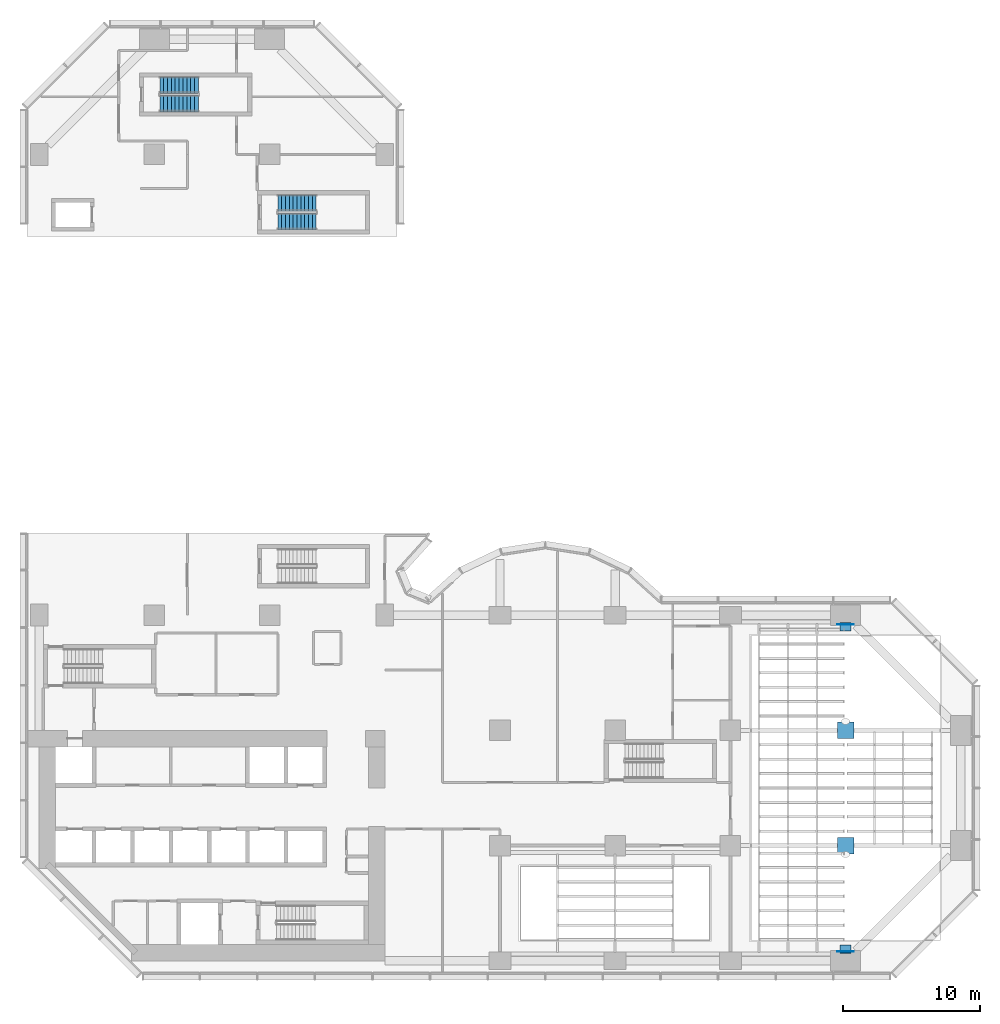
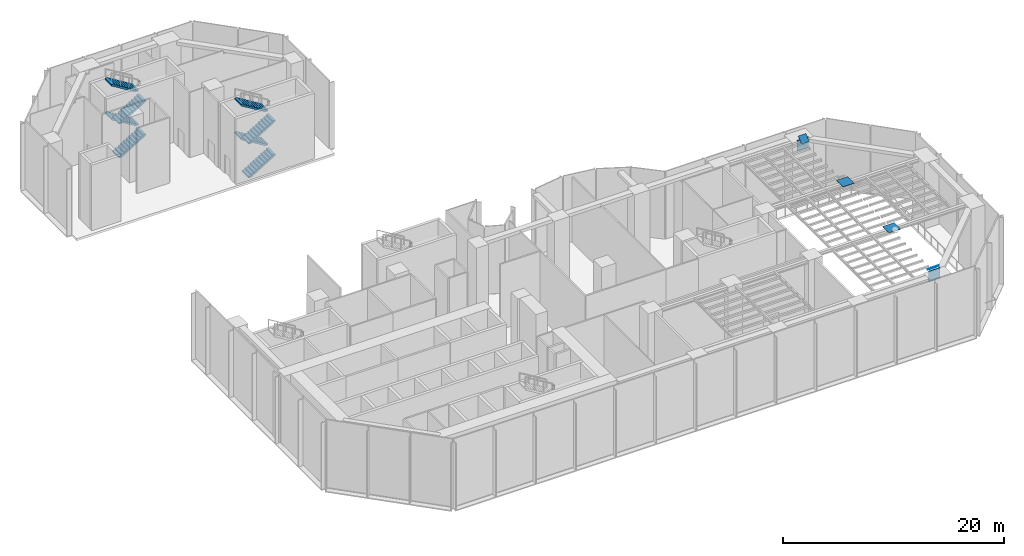
# One storey, part 18 of 22: 8 stair flights, 6 discrete accessories, 2 elements without a shape of their own.
"""IFC4 building model written with IfcOpenShell, lengths in metres."""

from ifc_helpers import new_model, si_unit, direction, frame, origin, origin_2d, place, context, subcontext, project, spatial, polyline, rectangle, outline, extrude, material, layer, layer_set, type_object, element, aggregate, save


model = new_model("IFC4")

# Units and contexts
model_context = context("Model", 3, precision=1e-05, world=origin(), true_north=direction((0.0, 1.0)))
body_context = subcontext(model_context, "Body", "Model", "MODEL_VIEW")
ifc_project = project(units=[si_unit("LENGTHUNIT", "METRE"), si_unit("AREAUNIT", "SQUARE_METRE"), si_unit("VOLUMEUNIT", "CUBIC_METRE"), si_unit("PLANEANGLEUNIT", "RADIAN"), si_unit("MASSUNIT", "GRAM", prefix="KILO")], contexts=[model_context])

# Site, building, storey
site_placement = place(None, origin())
site = spatial("IfcSite", under=ifc_project, at=site_placement, CompositionType="ELEMENT")
building_placement = place(site_placement, origin())
building = spatial("IfcBuilding", under=site, at=building_placement, Name="Brevane Broadcast Tower", CompositionType="ELEMENT")
storey_placement = place(building_placement, frame((0.0, 0.0, 20.0)))
storey = spatial("IfcBuildingStorey", under=building, at=storey_placement, Name="L03", CompositionType="ELEMENT", Elevation=20.0)

# Stair, stair flights
ifc_material_1 = material(Name="Concrete C50/60", Category="concrete")
stair_type = type_object("IfcStairType", Name="Exit stair 44 risers", PredefinedType="HALF_TURN_STAIR", material=ifc_material_1)
stair_1_placement = place(storey_placement, origin())
stair_1 = element("IfcStair", 1, at=stair_1_placement, inside=storey, type_object=stair_type, Name="L03 Exit stair ST-5", PredefinedType="HALF_TURN_STAIR")
stair_flight_type = type_object("IfcStairFlightType", Name="Exit stair flight 44 risers", PredefinedType="STRAIGHT", material=ifc_material_1)
stair_flight_1_placement = place(storey_placement, frame((17.39990234375, 53.89990234375, 0.0), z_axis=(0.0, 0.0, 1.0), x_axis=(1.0, 0.0, 0.0)))
stair_flight_1 = element("IfcStairFlight", 2, at=stair_flight_1_placement, type_object=stair_flight_type, Name="ST-5 flight 1", NumberOfRisers=11, NumberOfTreads=10, PredefinedType="STRAIGHT", RiserHeight=0.170454545, TreadLength=0.28, context=body_context, shape_type="SweptSolid", body=[
    extrude(outline(polyline([(0.0, 0.0), (0.0, 0.17041015625), (0.280029296875, 0.17041015625), (0.280029296875, 0.3408203125), (0.56005859375, 0.3408203125), (0.56005859375, 0.511474609375), (0.840087890625, 0.511474609375), (0.840087890625, 0.681884765625), (1.1201171875, 0.681884765625), (1.1201171875, 0.852294921875), (1.39990234375, 0.852294921875), (1.39990234375, 1.022705078125), (1.679931640625, 1.022705078125), (1.679931640625, 1.193115234375), (1.9599609375, 1.193115234375), (1.9599609375, 1.363525390625), (2.239990234375, 1.363525390625), (2.239990234375, 1.5341796875), (2.52001953125, 1.5341796875), (2.52001953125, 1.70458984375), (2.800048828125, 1.70458984375), (2.800048828125, 1.875), (2.800048828125, 1.529052734375), (0.288330078125, 0.0), (0.0, 0.0)])), frame((0.0, 0.60009765625, 0.0), z_axis=(0.0, -1.0, 0.0), x_axis=(1.0, 0.0, 0.0)), (0.0, 0.0, 1.0), 1.199951171875),
])
stair_flight_2_placement = place(storey_placement, frame((20.199951171875, 55.25, 1.875), z_axis=(0.0, 0.0, 1.0), x_axis=(-1.0, 0.0, 0.0)))
stair_flight_2 = element("IfcStairFlight", 3, at=stair_flight_2_placement, type_object=stair_flight_type, Name="ST-5 flight 2", NumberOfRisers=11, NumberOfTreads=10, PredefinedType="STRAIGHT", RiserHeight=0.170454545, TreadLength=0.28, context=body_context, shape_type="SweptSolid", body=[
    extrude(outline(polyline([(0.0, 0.0), (0.0, 0.17041015625), (0.280029296875, 0.17041015625), (0.280029296875, 0.3408203125), (0.56005859375, 0.3408203125), (0.56005859375, 0.511474609375), (0.840087890625, 0.511474609375), (0.840087890625, 0.681884765625), (1.1201171875, 0.681884765625), (1.1201171875, 0.852294921875), (1.39990234375, 0.852294921875), (1.39990234375, 1.022705078125), (1.679931640625, 1.022705078125), (1.679931640625, 1.193115234375), (1.9599609375, 1.193115234375), (1.9599609375, 1.363525390625), (2.239990234375, 1.363525390625), (2.239990234375, 1.5341796875), (2.52001953125, 1.5341796875), (2.52001953125, 1.70458984375), (2.800048828125, 1.70458984375), (2.800048828125, 1.875), (2.800048828125, 1.529052734375), (0.288330078125, 0.0), (0.0, 0.0)])), frame((0.0, 0.60009765625, 0.0), z_axis=(0.0, -1.0, 0.0), x_axis=(1.0, 0.0, 0.0)), (0.0, 0.0, 1.0), 1.199951171875),
])
stair_flight_3_placement = place(storey_placement, frame((17.39990234375, 53.89990234375, 3.75), z_axis=(0.0, 0.0, 1.0), x_axis=(1.0, 0.0, 0.0)))
stair_flight_3 = element("IfcStairFlight", 4, at=stair_flight_3_placement, type_object=stair_flight_type, Name="ST-5 flight 3", NumberOfRisers=11, NumberOfTreads=10, PredefinedType="STRAIGHT", RiserHeight=0.170454545, TreadLength=0.28, context=body_context, shape_type="SweptSolid", body=[
    extrude(outline(polyline([(0.0, 0.0), (0.0, 0.17041015625), (0.280029296875, 0.17041015625), (0.280029296875, 0.3408203125), (0.56005859375, 0.3408203125), (0.56005859375, 0.511474609375), (0.840087890625, 0.511474609375), (0.840087890625, 0.681884765625), (1.1201171875, 0.681884765625), (1.1201171875, 0.852294921875), (1.39990234375, 0.852294921875), (1.39990234375, 1.022705078125), (1.679931640625, 1.022705078125), (1.679931640625, 1.193115234375), (1.9599609375, 1.193115234375), (1.9599609375, 1.363525390625), (2.239990234375, 1.363525390625), (2.239990234375, 1.5341796875), (2.52001953125, 1.5341796875), (2.52001953125, 1.70458984375), (2.800048828125, 1.70458984375), (2.800048828125, 1.875), (2.800048828125, 1.529052734375), (0.288330078125, 0.0), (0.0, 0.0)])), frame((0.0, 0.60009765625, 0.0), z_axis=(0.0, -1.0, 0.0), x_axis=(1.0, 0.0, 0.0)), (0.0, 0.0, 1.0), 1.199951171875),
])
stair_flight_4_placement = place(storey_placement, frame((20.199951171875, 55.25, 5.625), z_axis=(0.0, 0.0, 1.0), x_axis=(-1.0, 0.0, 0.0)))
stair_flight_4 = element("IfcStairFlight", 5, at=stair_flight_4_placement, type_object=stair_flight_type, Name="ST-5 flight 4", NumberOfRisers=11, NumberOfTreads=10, PredefinedType="STRAIGHT", RiserHeight=0.170454545, TreadLength=0.28, context=body_context, shape_type="SweptSolid", body=[
    extrude(outline(polyline([(0.0, 0.0), (0.0, 0.17041015625), (0.280029296875, 0.17041015625), (0.280029296875, 0.3408203125), (0.56005859375, 0.3408203125), (0.56005859375, 0.511474609375), (0.840087890625, 0.511474609375), (0.840087890625, 0.681884765625), (1.1201171875, 0.681884765625), (1.1201171875, 0.852294921875), (1.39990234375, 0.852294921875), (1.39990234375, 1.022705078125), (1.679931640625, 1.022705078125), (1.679931640625, 1.193115234375), (1.9599609375, 1.193115234375), (1.9599609375, 1.363525390625), (2.239990234375, 1.363525390625), (2.239990234375, 1.5341796875), (2.52001953125, 1.5341796875), (2.52001953125, 1.70458984375), (2.800048828125, 1.70458984375), (2.800048828125, 1.875), (2.800048828125, 1.529052734375), (0.288330078125, 0.0), (0.0, 0.0)])), frame((0.0, 0.60009765625, 0.0), z_axis=(0.0, -1.0, 0.0), x_axis=(1.0, 0.0, 0.0)), (0.0, 0.0, 1.0), 1.199951171875),
])
aggregate(stair_1, [stair_flight_1, stair_flight_2, stair_flight_3, stair_flight_4])

stair_2_placement = place(storey_placement, origin())
stair_2 = element("IfcStair", 6, at=stair_2_placement, inside=storey, type_object=stair_type, Name="L03 Exit stair ST-6", PredefinedType="HALF_TURN_STAIR")
stair_flight_5_placement = place(storey_placement, frame((8.800048828125, 62.5, 0.0), z_axis=(0.0, 0.0, 1.0), x_axis=(1.0, 0.0, 0.0)))
stair_flight_5 = element("IfcStairFlight", 7, at=stair_flight_5_placement, type_object=stair_flight_type, Name="ST-6 flight 1", NumberOfRisers=11, NumberOfTreads=10, PredefinedType="STRAIGHT", RiserHeight=0.170454545, TreadLength=0.28, context=body_context, shape_type="SweptSolid", body=[
    extrude(outline(polyline([(0.0, 0.0), (0.0, 0.17041015625), (0.280029296875, 0.17041015625), (0.280029296875, 0.3408203125), (0.56005859375, 0.3408203125), (0.56005859375, 0.511474609375), (0.840087890625, 0.511474609375), (0.840087890625, 0.681884765625), (1.1201171875, 0.681884765625), (1.1201171875, 0.852294921875), (1.39990234375, 0.852294921875), (1.39990234375, 1.022705078125), (1.679931640625, 1.022705078125), (1.679931640625, 1.193115234375), (1.9599609375, 1.193115234375), (1.9599609375, 1.363525390625), (2.239990234375, 1.363525390625), (2.239990234375, 1.5341796875), (2.52001953125, 1.5341796875), (2.52001953125, 1.70458984375), (2.800048828125, 1.70458984375), (2.800048828125, 1.875), (2.800048828125, 1.529052734375), (0.288330078125, 0.0), (0.0, 0.0)])), frame((0.0, 0.60009765625, 0.0), z_axis=(0.0, -1.0, 0.0), x_axis=(1.0, 0.0, 0.0)), (0.0, 0.0, 1.0), 1.199951171875),
])
stair_flight_6_placement = place(storey_placement, frame((11.60009765625, 63.85009765625, 1.875), z_axis=(0.0, 0.0, 1.0), x_axis=(-1.0, 0.0, 0.0)))
stair_flight_6 = element("IfcStairFlight", 8, at=stair_flight_6_placement, type_object=stair_flight_type, Name="ST-6 flight 2", NumberOfRisers=11, NumberOfTreads=10, PredefinedType="STRAIGHT", RiserHeight=0.170454545, TreadLength=0.28, context=body_context, shape_type="SweptSolid", body=[
    extrude(outline(polyline([(0.0, 0.0), (0.0, 0.17041015625), (0.280029296875, 0.17041015625), (0.280029296875, 0.3408203125), (0.56005859375, 0.3408203125), (0.56005859375, 0.511474609375), (0.840087890625, 0.511474609375), (0.840087890625, 0.681884765625), (1.1201171875, 0.681884765625), (1.1201171875, 0.852294921875), (1.39990234375, 0.852294921875), (1.39990234375, 1.022705078125), (1.679931640625, 1.022705078125), (1.679931640625, 1.193115234375), (1.9599609375, 1.193115234375), (1.9599609375, 1.363525390625), (2.239990234375, 1.363525390625), (2.239990234375, 1.5341796875), (2.52001953125, 1.5341796875), (2.52001953125, 1.70458984375), (2.800048828125, 1.70458984375), (2.800048828125, 1.875), (2.800048828125, 1.529052734375), (0.288330078125, 0.0), (0.0, 0.0)])), frame((0.0, 0.60009765625, 0.0), z_axis=(0.0, -1.0, 0.0), x_axis=(1.0, 0.0, 0.0)), (0.0, 0.0, 1.0), 1.199951171875),
])
stair_flight_7_placement = place(storey_placement, frame((8.800048828125, 62.5, 3.75), z_axis=(0.0, 0.0, 1.0), x_axis=(1.0, 0.0, 0.0)))
stair_flight_7 = element("IfcStairFlight", 9, at=stair_flight_7_placement, type_object=stair_flight_type, Name="ST-6 flight 3", NumberOfRisers=11, NumberOfTreads=10, PredefinedType="STRAIGHT", RiserHeight=0.170454545, TreadLength=0.28, context=body_context, shape_type="SweptSolid", body=[
    extrude(outline(polyline([(0.0, 0.0), (0.0, 0.17041015625), (0.280029296875, 0.17041015625), (0.280029296875, 0.3408203125), (0.56005859375, 0.3408203125), (0.56005859375, 0.511474609375), (0.840087890625, 0.511474609375), (0.840087890625, 0.681884765625), (1.1201171875, 0.681884765625), (1.1201171875, 0.852294921875), (1.39990234375, 0.852294921875), (1.39990234375, 1.022705078125), (1.679931640625, 1.022705078125), (1.679931640625, 1.193115234375), (1.9599609375, 1.193115234375), (1.9599609375, 1.363525390625), (2.239990234375, 1.363525390625), (2.239990234375, 1.5341796875), (2.52001953125, 1.5341796875), (2.52001953125, 1.70458984375), (2.800048828125, 1.70458984375), (2.800048828125, 1.875), (2.800048828125, 1.529052734375), (0.288330078125, 0.0), (0.0, 0.0)])), frame((0.0, 0.60009765625, 0.0), z_axis=(0.0, -1.0, 0.0), x_axis=(1.0, 0.0, 0.0)), (0.0, 0.0, 1.0), 1.199951171875),
])
stair_flight_8_placement = place(storey_placement, frame((11.60009765625, 63.85009765625, 5.625), z_axis=(0.0, 0.0, 1.0), x_axis=(-1.0, 0.0, 0.0)))
stair_flight_8 = element("IfcStairFlight", 10, at=stair_flight_8_placement, type_object=stair_flight_type, Name="ST-6 flight 4", NumberOfRisers=11, NumberOfTreads=10, PredefinedType="STRAIGHT", RiserHeight=0.170454545, TreadLength=0.28, context=body_context, shape_type="SweptSolid", body=[
    extrude(outline(polyline([(0.0, 0.0), (0.0, 0.17041015625), (0.280029296875, 0.17041015625), (0.280029296875, 0.3408203125), (0.56005859375, 0.3408203125), (0.56005859375, 0.511474609375), (0.840087890625, 0.511474609375), (0.840087890625, 0.681884765625), (1.1201171875, 0.681884765625), (1.1201171875, 0.852294921875), (1.39990234375, 0.852294921875), (1.39990234375, 1.022705078125), (1.679931640625, 1.022705078125), (1.679931640625, 1.193115234375), (1.9599609375, 1.193115234375), (1.9599609375, 1.363525390625), (2.239990234375, 1.363525390625), (2.239990234375, 1.5341796875), (2.52001953125, 1.5341796875), (2.52001953125, 1.70458984375), (2.800048828125, 1.70458984375), (2.800048828125, 1.875), (2.800048828125, 1.529052734375), (0.288330078125, 0.0), (0.0, 0.0)])), frame((0.0, 0.60009765625, 0.0), z_axis=(0.0, -1.0, 0.0), x_axis=(1.0, 0.0, 0.0)), (0.0, 0.0, 1.0), 1.199951171875),
])
aggregate(stair_2, [stair_flight_5, stair_flight_6, stair_flight_7, stair_flight_8])

# Discrete accessories
ifc_material_2 = material(Name="Steel S355", Category="steel")
ifc_layer_1 = layer(ifc_material_2, 0.0400390625)
ifc_layer_set_1 = layer_set([ifc_layer_1], Name="Gusset plate 1200x1200x40 S355")
discrete_accessory_type_1 = type_object("IfcDiscreteAccessoryType", Name="Gusset plate 1200x1200x40 S355", PredefinedType="ANCHORPLATE", material=ifc_layer_set_1)
for number, where, z_axis, x_axis, name in (
    (11, (58.800048828125, 0.659912109375, 6.74609375), (0.0, 1.0, 0.0), (-1.0, 0.0, 0.0), "Gusset plate GP4-154"),
    (12, (58.800048828125, 24.5, 6.74609375), (0.0, 1.0, 0.0), (-1.0, 0.0, 0.0), "Gusset plate GP4-155"),
    (13, (58.800048828125, 8.39990234375, 7.2099609375), (0.0, 0.0, 1.0), (1.0, 0.0, 0.0), "Gusset plate GP4-164"),
    (14, (58.800048828125, 16.800048828125, 7.2099609375), (0.0, 0.0, 1.0), (1.0, 0.0, 0.0), "Gusset plate GP4-166"),
):
    element("IfcDiscreteAccessory", number, at=place(storey_placement, frame(where, z_axis=z_axis, x_axis=x_axis)), inside=storey, type_object=discrete_accessory_type_1, Name=name, PredefinedType="ANCHORPLATE", context=body_context, shape_type="SweptSolid", body=[
        extrude(rectangle(XDim=1.199951171875, YDim=1.199951171875, at=origin_2d()), origin(), (0.0, 0.0, 1.0), 0.0400390625),
    ])
ifc_layer_2 = layer(ifc_material_2, 0.0400390625)
ifc_layer_set_2 = layer_set([ifc_layer_2], Name="Gusset plate 800x800x40 S355")
discrete_accessory_type_2 = type_object("IfcDiscreteAccessoryType", Name="Gusset plate 800x800x40 S355", PredefinedType="ANCHORPLATE", material=ifc_layer_set_2)
discrete_accessory_1_placement = place(storey_placement, frame((58.800048828125, 0.834228515625, 7.40478515625), z_axis=(0.0, 0.666258670845, 0.745720714157), x_axis=(-1.0, 0.0, 0.0)))
element("IfcDiscreteAccessory", 15, at=discrete_accessory_1_placement, inside=storey, type_object=discrete_accessory_type_2, Name="Gusset plate GP5-162", PredefinedType="ANCHORPLATE", context=body_context, shape_type="SweptSolid", body=[
    extrude(rectangle(XDim=0.800048828125, YDim=0.800048828125, at=origin_2d()), origin(), (0.0, 0.0, 1.0), 0.0400390625),
])
discrete_accessory_2_placement = place(storey_placement, frame((58.800048828125, 24.36572265625, 7.40478515625), z_axis=(0.0, -0.662838691033, 0.748762225055), x_axis=(1.0, 0.0, 0.0)))
element("IfcDiscreteAccessory", 16, at=discrete_accessory_2_placement, inside=storey, type_object=discrete_accessory_type_2, Name="Gusset plate GP5-163", PredefinedType="ANCHORPLATE", context=body_context, shape_type="SweptSolid", body=[
    extrude(rectangle(XDim=0.800048828125, YDim=0.800048828125, at=origin_2d()), origin(), (0.0, 0.0, 1.0), 0.039794921875),
])

save(model, "model.ifc")
